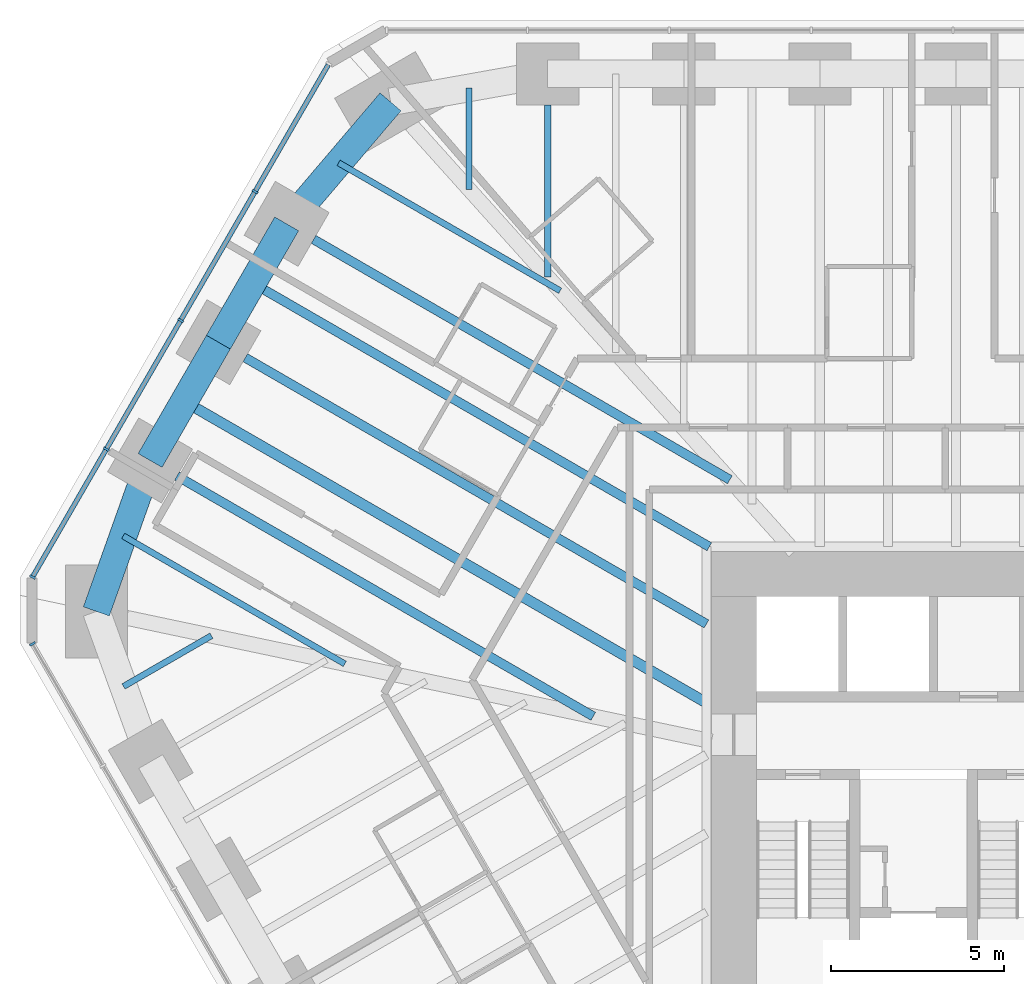
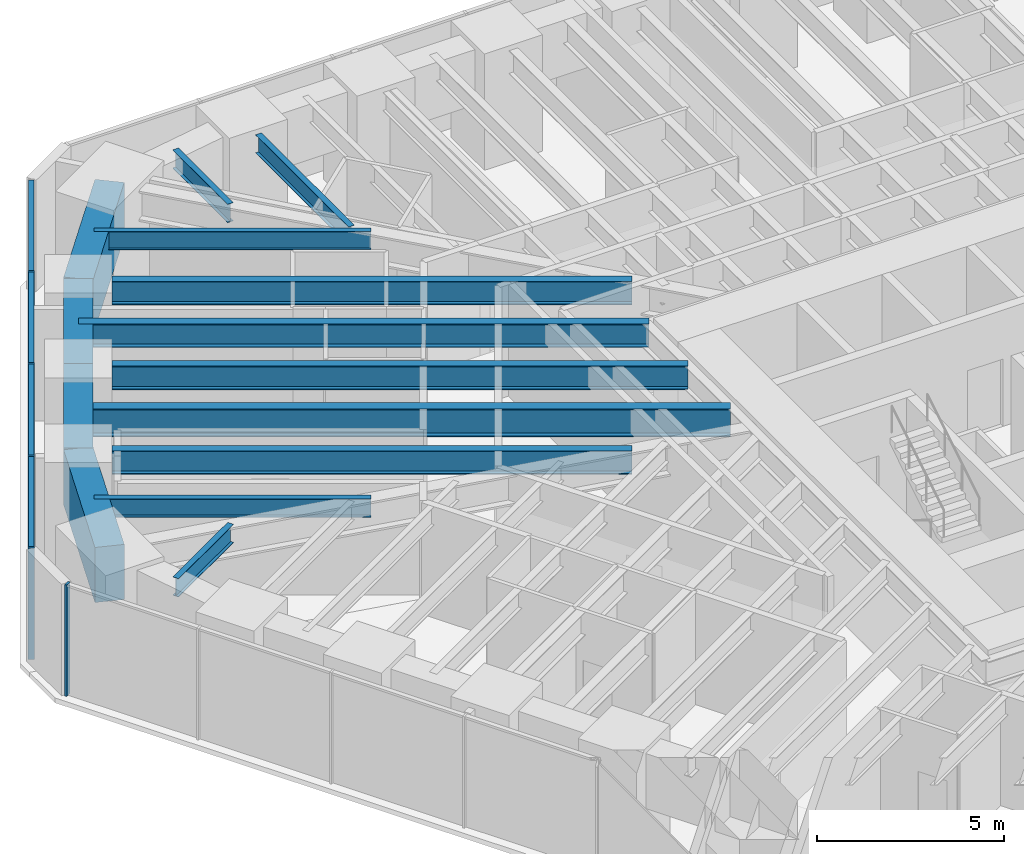
# One storey, part 7 of 17: 14 beams, 9 members, 2 elements without a shape of their own.
"""IFC4 building model written with IfcOpenShell, lengths in metres."""

from ifc_helpers import new_model, si_unit, direction, frame, origin, origin_2d, place, context, subcontext, project, spatial, rectangle, i_section, extrude, material, material_profile, profile_set, type_object, element, aggregate, save


model = new_model("IFC4")

# Units and contexts
model_context = context("Model", 3, precision=1e-05, world=origin(), true_north=direction((0.0, 1.0)))
body_context = subcontext(model_context, "Body", "Model", "MODEL_VIEW")
ifc_project = project(units=[si_unit("LENGTHUNIT", "METRE"), si_unit("AREAUNIT", "SQUARE_METRE"), si_unit("VOLUMEUNIT", "CUBIC_METRE"), si_unit("PLANEANGLEUNIT", "RADIAN"), si_unit("MASSUNIT", "GRAM", prefix="KILO")], contexts=[model_context])

# Site, building, storey
site_placement = place(None, origin())
site = spatial("IfcSite", under=ifc_project, at=site_placement, CompositionType="ELEMENT")
building_placement = place(site_placement, origin())
building = spatial("IfcBuilding", under=site, at=building_placement, Name="Sandreach Pilgrim Tower", CompositionType="ELEMENT")
storey_placement = place(building_placement, frame((0.0, 0.0, 127.199951171875)))
storey = spatial("IfcBuildingStorey", under=building, at=storey_placement, Name="L31", CompositionType="ELEMENT", Elevation=127.199951171875)

# Curtain wall, member
ifc_material_1 = material(Name="Aluminium framed curtain wall", Category="aluminium")
curtain_wall_type = type_object("IfcCurtainWallType", Name="Hotel tower curtain wall", PredefinedType="NOTDEFINED", material=ifc_material_1)
curtain_wall_1_placement = place(storey_placement, origin())
curtain_wall_1 = element("IfcCurtainWall", 1, at=curtain_wall_1_placement, inside=storey, type_object=curtain_wall_type, Name="CW-2 L31 SW", PredefinedType="NOTDEFINED")
ifc_material_2 = material(Name="Aluminium extrusion", Category="aluminium")
ifc_material_profile_1 = material_profile(ifc_material_2, rectangle(XDim=0.06494140625, YDim=0.179931640625, at=origin_2d()), Name="CW-2M 65X180")
ifc_profile_set_1 = profile_set([ifc_material_profile_1], Name="Aluminium extrusion")
member_type_1 = type_object("IfcMemberType", Name="CW-2 mullion", PredefinedType="MULLION", material=ifc_profile_set_1)
member_1_placement = place(storey_placement, frame((-28.70458984375, 4.730224609375, 0.0), z_axis=(0.0, 0.0, 1.0), x_axis=(-0.5, 0.866025403784, 0.0)))
member_1 = element("IfcMember", 2, at=member_1_placement, type_object=member_type_1, Name="CW-2 mullion 10", PredefinedType="MULLION", context=body_context, shape_type="SweptSolid", body=[
    extrude(rectangle(XDim=0.06494140625, YDim=0.179931640625, at=origin_2d()), origin(), (0.0, 0.0, 1.0), 3.64013671875),
])
aggregate(curtain_wall_1, [member_1])

# Curtain wall, members
curtain_wall_2_placement = place(storey_placement, origin())
curtain_wall_2 = element("IfcCurtainWall", 3, at=curtain_wall_2_placement, inside=storey, type_object=curtain_wall_type, Name="CW-2 L31 NW", PredefinedType="NOTDEFINED")
member_2_placement = place(storey_placement, frame((-28.70458984375, 6.66650390625, 0.0), z_axis=(0.0, 0.0, 1.0), x_axis=(0.5, 0.866025403784, 0.0)))
member_2 = element("IfcMember", 4, at=member_2_placement, type_object=member_type_1, Name="CW-2 mullion 1", PredefinedType="MULLION", context=body_context, shape_type="SweptSolid", body=[
    extrude(rectangle(XDim=0.06494140625, YDim=0.179931640625, at=origin_2d()), origin(), (0.0, 0.0, 1.0), 3.64013671875),
])
member_3_placement = place(storey_placement, frame((-26.568115234375, 10.3671875, 0.0), z_axis=(0.0, 0.0, 1.0), x_axis=(0.5, 0.866025403784, 0.0)))
member_3 = element("IfcMember", 5, at=member_3_placement, type_object=member_type_1, Name="CW-2 mullion 2", PredefinedType="MULLION", context=body_context, shape_type="SweptSolid", body=[
    extrude(rectangle(XDim=0.06494140625, YDim=0.179931640625, at=origin_2d()), origin(), (0.0, 0.0, 1.0), 3.64013671875),
])
member_4_placement = place(storey_placement, frame((-24.415283203125, 14.09619140625, 0.0), z_axis=(0.0, 0.0, 1.0), x_axis=(0.5, 0.866025403784, 0.0)))
member_4 = element("IfcMember", 6, at=member_4_placement, type_object=member_type_1, Name="CW-2 mullion 3", PredefinedType="MULLION", context=body_context, shape_type="SweptSolid", body=[
    extrude(rectangle(XDim=0.06494140625, YDim=0.179931640625, at=origin_2d()), origin(), (0.0, 0.0, 1.0), 3.64013671875),
])
member_5_placement = place(storey_placement, frame((-22.262451171875, 17.824951171875, 0.0), z_axis=(0.0, 0.0, 1.0), x_axis=(0.5, 0.866025403784, 0.0)))
member_5 = element("IfcMember", 7, at=member_5_placement, type_object=member_type_1, Name="CW-2 mullion 4", PredefinedType="MULLION", context=body_context, shape_type="SweptSolid", body=[
    extrude(rectangle(XDim=0.06494140625, YDim=0.179931640625, at=origin_2d()), origin(), (0.0, 0.0, 1.0), 3.64013671875),
])
ifc_material_3 = material(Name="Aluminium extrusion", Category="aluminium")
ifc_material_profile_2 = material_profile(ifc_material_3, rectangle(XDim=0.139892578125, YDim=0.070068359375, at=origin_2d()), Name="CW-2T 140X70")
ifc_profile_set_2 = profile_set([ifc_material_profile_2], Name="Aluminium extrusion")
member_type_2 = type_object("IfcMemberType", Name="CW-2 transom", PredefinedType="USERDEFINED", material=ifc_profile_set_2)
member_6_placement = place(storey_placement, frame((-28.6884765625, 6.69482421875, 3.60498046875), z_axis=(0.500038835258, 0.866002981077, 0.0), x_axis=(-0.866002981077, 0.500038835258, 0.0)))
member_6 = element("IfcMember", 8, at=member_6_placement, type_object=member_type_2, Name="CW-2 head transom 1", ObjectType="TRANSOM", PredefinedType="USERDEFINED", context=body_context, shape_type="SweptSolid", body=[
    extrude(rectangle(XDim=0.139892578125, YDim=0.070068359375, at=origin_2d()), origin(), (0.0, 0.0, 1.0), 4.208251953125),
])
member_7_placement = place(storey_placement, frame((-26.5517578125, 10.3955078125, 3.60498046875), z_axis=(0.500021471012, 0.866013007135, 0.0), x_axis=(-0.866013007135, 0.500021471012, 0.0)))
member_7 = element("IfcMember", 9, at=member_7_placement, type_object=member_type_2, Name="CW-2 head transom 2", ObjectType="TRANSOM", PredefinedType="USERDEFINED", context=body_context, shape_type="SweptSolid", body=[
    extrude(rectangle(XDim=0.139892578125, YDim=0.070068359375, at=origin_2d()), origin(), (0.0, 0.0, 1.0), 4.240478515625),
])
member_8_placement = place(storey_placement, frame((-24.39892578125, 14.124267578125, 3.60498046875), z_axis=(0.499996541496, 0.866027400544, 0.0), x_axis=(-0.866027400544, 0.499996541496, 0.0)))
member_8 = element("IfcMember", 10, at=member_8_placement, type_object=member_type_2, Name="CW-2 head transom 3", ObjectType="TRANSOM", PredefinedType="USERDEFINED", context=body_context, shape_type="SweptSolid", body=[
    extrude(rectangle(XDim=0.139892578125, YDim=0.070068359375, at=origin_2d()), origin(), (0.0, 0.0, 1.0), 4.24072265625),
])
member_9_placement = place(storey_placement, frame((-22.24609375, 17.85302734375, 3.60498046875), z_axis=(0.49997020258, 0.86604260665, 0.0), x_axis=(-0.86604260665, 0.49997020258, 0.0)))
member_9 = element("IfcMember", 11, at=member_9_placement, type_object=member_type_2, Name="CW-2 head transom 4", ObjectType="TRANSOM", PredefinedType="USERDEFINED", context=body_context, shape_type="SweptSolid", body=[
    extrude(rectangle(XDim=0.139892578125, YDim=0.070068359375, at=origin_2d()), origin(), (0.0, 0.0, 1.0), 4.208251953125),
])
aggregate(curtain_wall_2, [member_2, member_3, member_4, member_5, member_6, member_7, member_8, member_9])

# Beams
ifc_material_4 = material(Name="Steel ASTM A992 Grade 50", Category="steel")
ifc_material_profile_3 = material_profile(ifc_material_4, i_section(OverallWidth=0.1787109375, OverallDepth=0.60205078125, WebThickness=0.010986328125, FlangeThickness=0.014892578125, at=origin_2d()), Name="W24X62")
ifc_profile_set_3 = profile_set([ifc_material_profile_3], Name="Steel ASTM A992 Grade 50")
beam_type_1 = type_object("IfcBeamType", Name="Floor beam W24X62", PredefinedType="BEAM", material=ifc_profile_set_3)
beam_1_placement = place(storey_placement, frame((-13.789794921875, 20.333740234375, 3.339111328125), z_axis=(0.0, -1.0, 0.0), x_axis=(1.0, 0.0, 0.0)))
element("IfcBeam", 12, at=beam_1_placement, inside=storey, type_object=beam_type_1, Name="BM L31 F01", PredefinedType="BEAM", context=body_context, shape_type="SweptSolid", body=[
    extrude(i_section(OverallWidth=0.1787109375, OverallDepth=0.60205078125, WebThickness=0.010986328125, FlangeThickness=0.014892578125, at=origin_2d()), origin(), (0.0, 0.0, 1.0), 4.9765625),
])
beam_2_placement = place(storey_placement, frame((-26.070556640625, 3.498046875, 3.339111328125), z_axis=(0.866051374412, 0.499955014855, 0.0), x_axis=(-0.499955014855, 0.866051374412, 0.0)))
element("IfcBeam", 13, at=beam_2_placement, inside=storey, type_object=beam_type_1, Name="BM L31 FM34", PredefinedType="BEAM", context=body_context, shape_type="SweptSolid", body=[
    extrude(i_section(OverallWidth=0.1787109375, OverallDepth=0.60205078125, WebThickness=0.010986328125, FlangeThickness=0.014892578125, at=origin_2d()), origin(), (0.0, 0.0, 1.0), 2.938232421875),
])
for number, where, z_axis, x_axis, name in (
    (14, (-26.079345703125, 7.855712890625, 3.339111328125), (0.866025875064, -0.499999183719, 0.0), (0.499999183719, 0.866025875064, 0.0), "BM L31 FM35"),
    (15, (-19.8427734375, 18.65771484375, 3.339111328125), (0.866025875064, -0.499999183719, 0.0), (0.499999183719, 0.866025875064, 0.0), "BM L31 FM38"),
):
    element("IfcBeam", number, at=place(storey_placement, frame(where, z_axis=z_axis, x_axis=x_axis)), inside=storey, type_object=beam_type_1, Name=name, PredefinedType="BEAM", context=body_context, shape_type="SweptSolid", body=[
        extrude(i_section(OverallWidth=0.1787109375, OverallDepth=0.60205078125, WebThickness=0.010986328125, FlangeThickness=0.014892578125, at=origin_2d()), origin(), (0.0, 0.0, 1.0), 7.40771484375),
    ])
beam_3_placement = place(storey_placement, frame((-16.064697265625, 20.828857421875, 3.339111328125), z_axis=(0.0, -1.0, 0.0), x_axis=(1.0, 0.0, 0.0)))
element("IfcBeam", 16, at=beam_3_placement, inside=storey, type_object=beam_type_1, Name="BM L31 FM39", PredefinedType="BEAM", context=body_context, shape_type="SweptSolid", body=[
    extrude(i_section(OverallWidth=0.1787109375, OverallDepth=0.60205078125, WebThickness=0.010986328125, FlangeThickness=0.014892578125, at=origin_2d()), origin(), (0.0, 0.0, 1.0), 2.938232421875),
])
ifc_material_5 = material(Name="Steel ASTM A992 Grade 50", Category="steel")
ifc_material_profile_4 = material_profile(ifc_material_5, i_section(OverallWidth=0.2666015625, OverallDepth=0.761962890625, WebThickness=0.014404296875, FlangeThickness=0.021484375, at=origin_2d()), Name="W30X116")
ifc_profile_set_4 = profile_set([ifc_material_profile_4], Name="Steel ASTM A992 Grade 50")
beam_type_2 = type_object("IfcBeamType", Name="Floor beam W30X116", PredefinedType="BEAM", material=ifc_profile_set_4)
beam_4_placement = place(storey_placement, frame((-24.522216796875, 9.5908203125, 3.259033203125), z_axis=(0.866026649588, -0.499997842199, 0.0), x_axis=(0.499997842199, 0.866026649588, 0.0)))
element("IfcBeam", 17, at=beam_4_placement, inside=storey, type_object=beam_type_2, Name="BM L31 F36", PredefinedType="BEAM", context=body_context, shape_type="SweptSolid", body=[
    extrude(i_section(OverallWidth=0.2666015625, OverallDepth=0.761962890625, WebThickness=0.014404296875, FlangeThickness=0.021484375, at=origin_2d()), origin(), (0.0, 0.0, 1.0), 13.91552734375),
])
beam_5_placement = place(storey_placement, frame((-20.56689453125, 16.44140625, 3.259033203125), z_axis=(0.866022263426, -0.500005439221, 0.0), x_axis=(0.500005439221, 0.866022263426, 0.0)))
element("IfcBeam", 18, at=beam_5_placement, inside=storey, type_object=beam_type_2, Name="BM L31 F38", PredefinedType="BEAM", context=body_context, shape_type="SweptSolid", body=[
    extrude(i_section(OverallWidth=0.2666015625, OverallDepth=0.761962890625, WebThickness=0.014404296875, FlangeThickness=0.021484375, at=origin_2d()), origin(), (0.0, 0.0, 1.0), 13.915283203125),
])
ifc_material_6 = material(Name="Steel ASTM A992 Grade 50", Category="steel")
ifc_material_profile_5 = material_profile(ifc_material_6, i_section(OverallWidth=0.2666015625, OverallDepth=0.77978515625, WebThickness=0.0166015625, FlangeThickness=0.030029296875, at=origin_2d()), Name="W30X148")
ifc_profile_set_5 = profile_set([ifc_material_profile_5], Name="Steel ASTM A992 Grade 50")
beam_type_3 = type_object("IfcBeamType", Name="Floor beam W30X148", PredefinedType="BEAM", material=ifc_profile_set_5)
beam_6_placement = place(storey_placement, frame((-22.544677734375, 13.01611328125, 3.250244140625), z_axis=(0.866029203842, -0.49999341805, 0.0), x_axis=(0.49999341805, 0.866029203842, 0.0)))
element("IfcBeam", 19, at=beam_6_placement, inside=storey, type_object=beam_type_3, Name="BM L31 F37", PredefinedType="BEAM", context=body_context, shape_type="SweptSolid", body=[
    extrude(i_section(OverallWidth=0.2666015625, OverallDepth=0.77978515625, WebThickness=0.0166015625, FlangeThickness=0.030029296875, at=origin_2d()), origin(), (0.0, 0.0, 1.0), 15.416748046875),
])
beam_7_placement = place(storey_placement, frame((-22.335205078125, 15.1787109375, 3.250244140625), z_axis=(0.866028773314, -0.499994163758, 0.0), x_axis=(0.499994163758, 0.866028773314, 0.0)))
element("IfcBeam", 20, at=beam_7_placement, inside=storey, type_object=beam_type_3, Name="BM L31 FM37", PredefinedType="BEAM", context=body_context, shape_type="SweptSolid", body=[
    extrude(i_section(OverallWidth=0.2666015625, OverallDepth=0.77978515625, WebThickness=0.0166015625, FlangeThickness=0.030029296875, at=origin_2d()), origin(), (0.0, 0.0, 1.0), 15.270751953125),
])
ifc_material_7 = material(Name="Steel ASTM A992 Grade 50", Category="steel")
ifc_material_profile_6 = material_profile(ifc_material_7, i_section(OverallWidth=0.3046875, OverallDepth=0.914306640625, WebThickness=0.0166015625, FlangeThickness=0.02587890625, at=origin_2d()), Name="W36X160")
ifc_profile_set_6 = profile_set([ifc_material_profile_6], Name="Steel ASTM A992 Grade 50")
beam_type_4 = type_object("IfcBeamType", Name="Floor beam W36X160", PredefinedType="BEAM", material=ifc_profile_set_6)
beam_8_placement = place(storey_placement, frame((-24.312744140625, 11.75341796875, 3.182861328125), z_axis=(0.866023737483, -0.500002886107, 0.0), x_axis=(0.500002886107, 0.866023737483, 0.0)))
element("IfcBeam", 21, at=beam_8_placement, inside=storey, type_object=beam_type_4, Name="BM L31 FM36", PredefinedType="BEAM", context=body_context, shape_type="SweptSolid", body=[
    extrude(i_section(OverallWidth=0.3046875, OverallDepth=0.914306640625, WebThickness=0.0166015625, FlangeThickness=0.02587890625, at=origin_2d()), origin(), (0.0, 0.0, 1.0), 17.45849609375),
])
ifc_material_8 = material(Name="Concrete 10000 psi", Category="concrete")
ifc_material_profile_7 = material_profile(ifc_material_8, rectangle(XDim=0.800048828125, YDim=1.800048828125, at=origin_2d()), Name="RC800X1800")
ifc_profile_set_7 = profile_set([ifc_material_profile_7], Name="Concrete 10000 psi")
beam_type_5 = type_object("IfcBeamType", Name="Spandrel beam RC800X1800", PredefinedType="SPANDREL", material=ifc_profile_set_7)
beam_9_placement = place(storey_placement, frame((-26.857177734375, 5.67041015625, 2.739990234375), z_axis=(0.335346041399, 0.942095023083, 0.0), x_axis=(-0.942095023083, 0.335346041399, 0.0)))
element("IfcBeam", 22, at=beam_9_placement, inside=storey, type_object=beam_type_5, Name="BM L31 SP35", PredefinedType="SPANDREL", context=body_context, shape_type="SweptSolid", body=[
    extrude(rectangle(XDim=0.800048828125, YDim=1.800048828125, at=origin_2d()), origin(), (0.0, 0.0, 1.0), 4.638916015625),
])
for number, where, z_axis, x_axis, name in (
    (23, (-25.301513671875, 10.040771484375, 2.739990234375), (0.499989616998, 0.866031398331, 0.0), (-0.866031398331, 0.499989616998, 0.0), "BM L31 SP36"),
    (24, (-23.323974609375, 13.466064453125, 2.739990234375), (0.499989616998, 0.866031398331, 0.0), (-0.866031398331, 0.499989616998, 0.0), "BM L31 SP37"),
):
    element("IfcBeam", number, at=place(storey_placement, frame(where, z_axis=z_axis, x_axis=x_axis)), inside=storey, type_object=beam_type_5, Name=name, PredefinedType="SPANDREL", context=body_context, shape_type="SweptSolid", body=[
        extrude(rectangle(XDim=0.800048828125, YDim=1.800048828125, at=origin_2d()), origin(), (0.0, 0.0, 1.0), 3.955078125),
    ])
beam_10_placement = place(storey_placement, frame((-21.346435546875, 16.891357421875, 2.739990234375), z_axis=(0.648208888384, 0.761462564425, 0.0), x_axis=(-0.761462564425, 0.648208888384, 0.0)))
element("IfcBeam", 25, at=beam_10_placement, inside=storey, type_object=beam_type_5, Name="BM L31 SP38", PredefinedType="SPANDREL", context=body_context, shape_type="SweptSolid", body=[
    extrude(rectangle(XDim=0.800048828125, YDim=1.800048828125, at=origin_2d()), origin(), (0.0, 0.0, 1.0), 4.63916015625),
])

save(model, "model.ifc")
